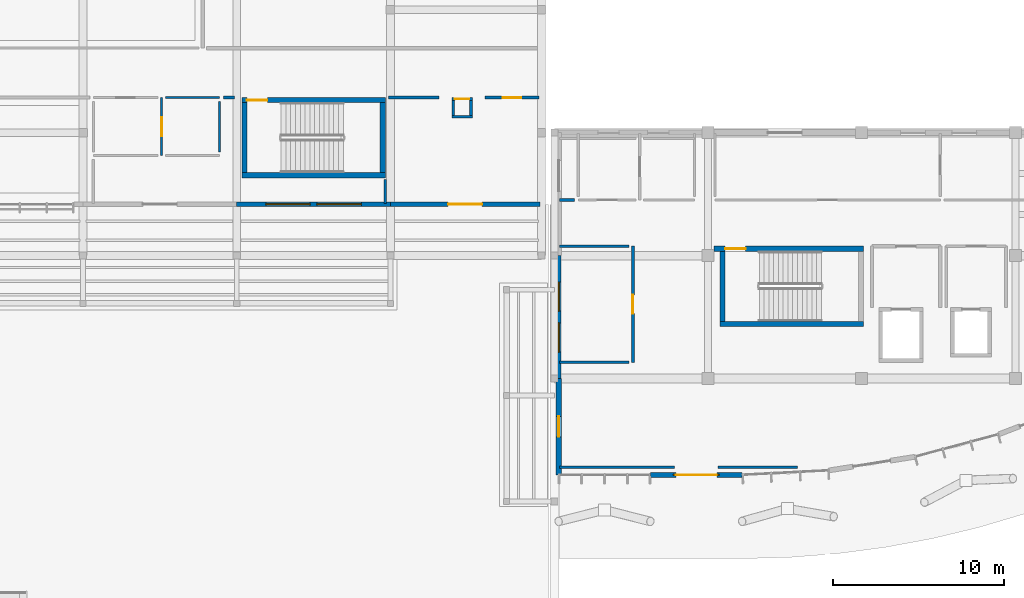
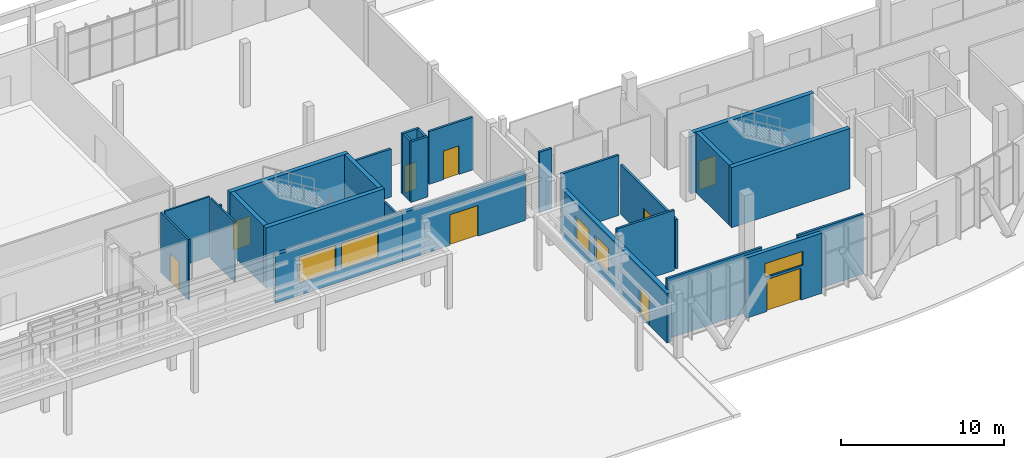
# One storey, part 119 of 151: 29 walls, 9 doors, 5 windows, 14 openings.
"""IFC4 building model written with IfcOpenShell, lengths in metres."""

import ifcopenshell
import ifcopenshell.guid

model = None  # the IFC model being written
_history = None  # IfcOwnerHistory: only IFC2X3 demands one
_inside = {}  # id of a spatial element -> (the spatial element, [elements in it])
_under = {}  # id of a project, library or spatial element -> (it, [spatial elements below it])
_declared = {}  # id of a project -> (the project, [libraries it declares])
_typed = {}  # id of a type object -> (the type object, [elements of that type])
_made_of = {}  # id of a material, layer set ... -> (it, [elements and type objects made of it])


def new_model(schema):
    """Start an empty IFC model of exactly this schema.

    Asked for "IFC4X3", IfcOpenShell would pick the latest addendum, in which some entities
    have other attributes; the version numbers below select the first issue.
    IFC2X3 requires an IfcOwnerHistory on every rooted entity: one is made here for all.
    """
    global model, _history
    if schema == "IFC4X3":
        model = ifcopenshell.file(schema_version=(4, 3, 0, 0))
    else:
        model = ifcopenshell.file(schema=schema)
    _inside.clear()
    _under.clear()
    _declared.clear()
    _typed.clear()
    _made_of.clear()
    _history = None
    if model.schema == "IFC2X3":
        org = make("IfcOrganization", Name="unknown")
        user = make(
            "IfcPersonAndOrganization",
            ThePerson=make("IfcPerson", FamilyName="unknown"),
            TheOrganization=org,
        )
        app = make(
            "IfcApplication",
            ApplicationDeveloper=org,
            Version="unknown",
            ApplicationFullName="unknown",
            ApplicationIdentifier="unknown",
        )
        _history = make(
            "IfcOwnerHistory",
            OwningUser=user,
            OwningApplication=app,
            ChangeAction="ADDED",
            CreationDate=0,
        )
    return model


def make(cls, **values):
    """One entity of the class cls with the attributes given. An attribute that is None is left unset."""
    return model.create_entity(
        cls, **{name: value for name, value in values.items() if value is not None}
    )


def rooted(cls, **values):
    """An entity with a GlobalId (a new one), such as an element, a storey or a relation."""
    return make(cls, GlobalId=ifcopenshell.guid.new(), OwnerHistory=_history, **values)


def si_unit(unit_type, name, prefix=None):
    """IfcSIUnit, for example si_unit("LENGTHUNIT", "METRE", prefix="MILLI")."""
    return make("IfcSIUnit", UnitType=unit_type, Prefix=prefix, Name=name)


def assignment(units):
    """IfcUnitAssignment: the units of a project."""
    return None if units is None else make("IfcUnitAssignment", Units=units)


def point(xyz):
    """IfcCartesianPoint."""
    return None if xyz is None else make("IfcCartesianPoint", Coordinates=xyz)


def direction(xyz):
    """IfcDirection."""
    return None if xyz is None else make("IfcDirection", DirectionRatios=xyz)


def frame(location, z_axis=None, x_axis=None):
    """IfcAxis2Placement3D, a coordinate frame: its origin and axes. An axis left out is left unset."""
    return make(
        "IfcAxis2Placement3D",
        Location=point(location),
        Axis=direction(z_axis),
        RefDirection=direction(x_axis),
    )


def frame_2d(location, x_axis=None):
    """IfcAxis2Placement2D, a coordinate frame in the plane: its origin and x axis."""
    return make(
        "IfcAxis2Placement2D", Location=point(location), RefDirection=direction(x_axis)
    )


def origin():
    """The frame at (0, 0, 0) with its axes left unset."""
    return frame((0.0, 0.0, 0.0))


def place(relative_to, where):
    """IfcLocalPlacement: puts the frame where relative to a parent placement (None: the world)."""
    return make(
        "IfcLocalPlacement", PlacementRelTo=relative_to, RelativePlacement=where
    )


def context(
    kind, dimensions, precision=None, world=None, true_north=None, identifier=None
):
    """IfcGeometricRepresentationContext, for example the 3D "Model" context."""
    return make(
        "IfcGeometricRepresentationContext",
        ContextIdentifier=identifier,
        ContextType=kind,
        CoordinateSpaceDimension=dimensions,
        Precision=precision,
        WorldCoordinateSystem=world,
        TrueNorth=true_north,
    )


def subcontext(parent, identifier, kind, view, scale=None):
    """IfcGeometricRepresentationSubContext, for example "Body" below "Model"."""
    return make(
        "IfcGeometricRepresentationSubContext",
        ContextIdentifier=identifier,
        ContextType=kind,
        ParentContext=parent,
        TargetScale=scale,
        TargetView=view,
    )


def project(units=None, contexts=None):
    """IfcProject with its units and contexts."""
    return rooted(
        "IfcProject",
        Name="project",
        RepresentationContexts=contexts,
        UnitsInContext=assignment(units),
    )


def spatial(cls, under=None, at=None, **own):
    """A site, building, storey or space (cls), placed at a placement, below another one or the project."""
    s = rooted(cls, ObjectPlacement=at, **own)
    if under is not None:
        _under.setdefault(under.id(), (under, []))[1].append(s)
    return s


def profile(cls, at=None, kind="AREA", **sizes):
    """A parametric profile (cls). Its sizes go by their IFC names, for example OverallWidth=200.0."""
    return make(cls, ProfileType=kind, Position=at, **sizes)


def rectangle(**sizes):
    """IfcRectangleProfileDef."""
    return profile("IfcRectangleProfileDef", **sizes)


def extrude(swept, where, along, depth):
    """IfcExtrudedAreaSolid: the profile swept, set in the frame where, extruded along a direction by depth."""
    return make(
        "IfcExtrudedAreaSolid",
        SweptArea=swept,
        Position=where,
        ExtrudedDirection=direction(along),
        Depth=depth,
    )


def shape(context_of_items, identifier, shape_type, items):
    """IfcShapeRepresentation: the items that make up one representation, for example the "Body"."""
    return make(
        "IfcShapeRepresentation",
        ContextOfItems=context_of_items,
        RepresentationIdentifier=identifier,
        RepresentationType=shape_type,
        Items=items,
    )


def material(Name=None, Category=None):
    """IfcMaterial."""
    return make("IfcMaterial", Name=Name, Category=Category)


def layer(
    of_material, thickness, ventilated=None, Name=None, Category=None, Priority=None
):
    """IfcMaterialLayer: one layer of a wall or slab, of a material (None: an air gap)."""
    return make(
        "IfcMaterialLayer",
        Material=of_material,
        LayerThickness=thickness,
        IsVentilated=ventilated,
        Name=Name,
        Category=Category,
        Priority=Priority,
    )


def layer_set(layers, Name=None):
    """IfcMaterialLayerSet."""
    return make("IfcMaterialLayerSet", MaterialLayers=layers, LayerSetName=Name)


def made_of(thing, what):
    """Note that an element or type object is made of a material, layer set ...; save() writes the relation."""
    if what is not None:
        _made_of.setdefault(what.id(), (what, []))[1].append(thing)
    return thing


def type_object(cls, material=None, **own):
    """A type object (cls), such as IfcWallType, which elements share."""
    return made_of(rooted(cls, **own), material)


def element(
    cls,
    number,
    at=None,
    inside=None,
    cuts=None,
    type_object=None,
    material=None,
    context=None,
    identifier="Body",
    shape_type=None,
    held_by="IfcProductDefinitionShape",
    body=None,
    shapes=None,
    **own,
):
    """One element of the class cls, such as IfcWall. Its Tag is "e" and its number.

    at: its placement. inside: the storey or other place that contains it. cuts: it is an
    opening in that element (IfcRelVoidsElement). A single representation is given by context,
    identifier, shape_type and body (its items); several are given by shapes. held_by: the class
    of the entity that holds the representations. save() writes the other relations.
    """
    e = rooted(cls, Tag="e%d" % number, ObjectPlacement=at, **own)
    if body is not None:
        shapes = [shape(context, identifier, shape_type, body)]
    if shapes is not None:
        e.Representation = make(held_by, Representations=shapes)
    if inside is not None:
        _inside.setdefault(inside.id(), (inside, []))[1].append(e)
    if cuts is not None:
        rooted(
            "IfcRelVoidsElement", RelatingBuildingElement=cuts, RelatedOpeningElement=e
        )
    if type_object is not None:
        _typed.setdefault(type_object.id(), (type_object, []))[1].append(e)
    return made_of(e, material)


def fill(opening, filler):
    """IfcRelFillsElement: the door or window that sits in an opening."""
    return rooted(
        "IfcRelFillsElement",
        RelatingOpeningElement=opening,
        RelatedBuildingElement=filler,
    )


def aggregate(whole, parts):
    """IfcRelAggregates: a whole, such as a stair, and the parts it consists of."""
    return rooted("IfcRelAggregates", RelatingObject=whole, RelatedObjects=parts)


def save(model, path):
    """Write the relations noted so far, then the file.

    IfcRelAggregates (storeys below a building ...), IfcRelContainedInSpatialStructure (elements
    in a storey), IfcRelDefinesByType, IfcRelAssociatesMaterial and IfcRelDeclares: one each for
    every whole, place, type object, material and project.
    """
    for whole, parts in _under.values():
        aggregate(whole, parts)
    for where, things in _inside.values():
        rooted(
            "IfcRelContainedInSpatialStructure",
            RelatedElements=things,
            RelatingStructure=where,
        )
    for kind, things in _typed.values():
        rooted("IfcRelDefinesByType", RelatedObjects=things, RelatingType=kind)
    for what, things in _made_of.values():
        rooted("IfcRelAssociatesMaterial", RelatedObjects=things, RelatingMaterial=what)
    for by, libraries in _declared.values():
        rooted("IfcRelDeclares", RelatingContext=by, RelatedDefinitions=libraries)
    model.write(path)


model = new_model("IFC4")

# Units and contexts
model_context = context("Model", 3, precision=1e-05, world=origin(), true_north=direction((0.0, 1.0)))
body_context = subcontext(model_context, "Body", "Model", "MODEL_VIEW")
ifc_project = project(units=[si_unit("LENGTHUNIT", "METRE"), si_unit("AREAUNIT", "SQUARE_METRE"), si_unit("VOLUMEUNIT", "CUBIC_METRE"), si_unit("PLANEANGLEUNIT", "RADIAN"), si_unit("MASSUNIT", "GRAM", prefix="KILO")], contexts=[model_context])

# Site, building, storey
site_placement = place(None, origin())
site = spatial("IfcSite", under=ifc_project, at=site_placement, CompositionType="ELEMENT")
building_placement = place(site_placement, origin())
building = spatial("IfcBuilding", under=site, at=building_placement, Name="Chiffa Square Polytechnic", CompositionType="ELEMENT")
storey_placement = place(building_placement, origin())
storey = spatial("IfcBuildingStorey", under=building, at=storey_placement, Name="L00", CompositionType="ELEMENT", Elevation=0.0)

# Wall
ifc_material_1 = material(Name="Concrete C40/50", Category="concrete")
ifc_layer_1 = layer(ifc_material_1, 0.300048828125, Name="Concrete C40/50")
ifc_layer_set_1 = layer_set([ifc_layer_1], Name="Concrete C40/50")
wall_type_1 = type_object("IfcWallType", Name="WL-CORE-300", PredefinedType="SHEAR", material=ifc_layer_set_1)
wall_1_placement = place(storey_placement, frame((121.89990234375, 17.60009765625, 0.0), z_axis=(0.0, 0.0, 1.0), x_axis=(1.0, 0.0, 0.0)))
element("IfcWall", 1, at=wall_1_placement, inside=storey, type_object=wall_type_1, Name="Core or enclosure wall WC-CORE-V1A-L00-SOUTH", PredefinedType="SHEAR", context=body_context, shape_type="SweptSolid", body=[
    extrude(rectangle(XDim=8.400146484375, YDim=0.300048828125, at=frame_2d((4.2001953125, 0.0))), origin(), (0.0, 0.0, 1.0), 4.52001953125),
])

# Wall, opening, door
wall_2_placement = place(storey_placement, frame((121.550048828125, 22.0, 0.0), z_axis=(0.0, 0.0, 1.0), x_axis=(1.0, 0.0, 0.0)))
wall_2 = element("IfcWall", 2, at=wall_2_placement, inside=storey, type_object=wall_type_1, Name="Core or enclosure wall WC-CORE-V1A-L00-NORTH", PredefinedType="SHEAR", context=body_context, shape_type="SweptSolid", body=[
    extrude(rectangle(XDim=8.75, YDim=0.300048828125, at=frame_2d((4.375, 0.0))), origin(), (0.0, 0.0, 1.0), 4.52001953125),
])
opening_1_placement = place(wall_2_placement, frame((0.64990234375, 0.0, 0.0)))
opening_1 = element("IfcOpeningElement", 3, at=opening_1_placement, cuts=wall_2, Name="Opening DS-L00-002", PredefinedType="OPENING", context=body_context, shape_type="SweptSolid", body=[
    extrude(rectangle(XDim=1.199951171875, YDim=2.14990234375, at=frame_2d((0.60009765625, 1.074951171875))), frame((0.0, 0.16015625, 0.0), z_axis=(0.0, -1.0, 0.0), x_axis=(1.0, 0.0, 0.0)), (0.0, 0.0, 1.0), 0.320068359375),
])
ifc_material_2 = material(Name="Fire-rated painted steel leaf", Category="steel")
door_type_1 = type_object("IfcDoorType", Name="DR-STAIR-1200", OperationType="NOTDEFINED", PredefinedType="DOOR", material=ifc_material_2)
door_1_placement = place(opening_1_placement, origin())
door_1 = element("IfcDoor", 4, at=door_1_placement, inside=storey, type_object=door_type_1, Name="Enclosure door DS-L00-002", OperationType="SINGLE_SWING_RIGHT", OverallHeight=2.14990234375, OverallWidth=1.199951171875, PredefinedType="DOOR", context=body_context, shape_type="SweptSolid", body=[
    extrude(rectangle(XDim=1.199951171875, YDim=2.14990234375, at=frame_2d((0.60009765625, 1.074951171875))), frame((0.0, 0.02490234375, 0.0), z_axis=(0.0, -1.0, 0.0), x_axis=(1.0, 0.0, 0.0)), (0.0, 0.0, 1.0), 0.050048828125),
])
fill(opening_1, door_1)

# Walls
wall_3_placement = place(storey_placement, frame((122.050048828125, 17.75, 0.0), z_axis=(0.0, 0.0, 1.0), x_axis=(0.0, 1.0, 0.0)))
element("IfcWall", 5, at=wall_3_placement, inside=storey, type_object=wall_type_1, Name="Core or enclosure wall WC-CORE-V1A-L00-WEST", PredefinedType="SHEAR", context=body_context, shape_type="SweptSolid", body=[
    extrude(rectangle(XDim=4.10009765625, YDim=0.300048828125, at=frame_2d((2.050048828125, 0.0))), origin(), (0.0, 0.0, 1.0), 4.52001953125),
])
wall_4_placement = place(storey_placement, frame((93.89990234375, 26.300048828125, 0.0), z_axis=(0.0, 0.0, 1.0), x_axis=(1.0, 0.0, 0.0)))
element("IfcWall", 6, at=wall_4_placement, inside=storey, type_object=wall_type_1, Name="Core or enclosure wall WC-CORE-V4B-L00-SOUTH", PredefinedType="SHEAR", context=body_context, shape_type="SweptSolid", body=[
    extrude(rectangle(XDim=8.400146484375, YDim=0.300048828125, at=frame_2d((4.2001953125, 0.0))), origin(), (0.0, 0.0, 1.0), 4.52001953125),
])

# Wall, opening, door
wall_5_placement = place(storey_placement, frame((93.89990234375, 30.699951171875, 0.0), z_axis=(0.0, 0.0, 1.0), x_axis=(1.0, 0.0, 0.0)))
wall_5 = element("IfcWall", 7, at=wall_5_placement, inside=storey, type_object=wall_type_1, Name="Core or enclosure wall WC-CORE-V4B-L00-NORTH", PredefinedType="SHEAR", context=body_context, shape_type="SweptSolid", body=[
    extrude(rectangle(XDim=8.400146484375, YDim=0.300048828125, at=frame_2d((4.2001953125, 0.0))), origin(), (0.0, 0.0, 1.0), 4.52001953125),
])
opening_2_placement = place(wall_5_placement, frame((0.300048828125, 0.0, 0.0)))
opening_2 = element("IfcOpeningElement", 8, at=opening_2_placement, cuts=wall_5, Name="Opening DS-L00-029", PredefinedType="OPENING", context=body_context, shape_type="SweptSolid", body=[
    extrude(rectangle(XDim=1.199951171875, YDim=2.14990234375, at=frame_2d((0.60009765625, 1.074951171875))), frame((0.0, 0.16015625, 0.0), z_axis=(0.0, -1.0, 0.0), x_axis=(1.0, 0.0, 0.0)), (0.0, 0.0, 1.0), 0.320068359375),
])
door_2_placement = place(opening_2_placement, origin())
door_2 = element("IfcDoor", 9, at=door_2_placement, inside=storey, type_object=door_type_1, Name="Enclosure door DS-L00-029", OperationType="SINGLE_SWING_LEFT", OverallHeight=2.14990234375, OverallWidth=1.199951171875, PredefinedType="DOOR", context=body_context, shape_type="SweptSolid", body=[
    extrude(rectangle(XDim=1.199951171875, YDim=2.14990234375, at=frame_2d((0.60009765625, 1.074951171875))), frame((0.0, 0.02490234375, 0.0), z_axis=(0.0, -1.0, 0.0), x_axis=(1.0, 0.0, 0.0)), (0.0, 0.0, 1.0), 0.050048828125),
])
fill(opening_2, door_2)

# Walls
for number, where, z_axis, x_axis, name in (
    (10, (94.050048828125, 26.449951171875, 0.0), (0.0, 0.0, 1.0), (0.0, 1.0, 0.0), "Core or enclosure wall WC-CORE-V4B-L00-WEST"),
    (11, (102.14990234375, 26.449951171875, 0.0), (0.0, 0.0, 1.0), (0.0, 1.0, 0.0), "Core or enclosure wall WC-CORE-V4B-L00-EAST"),
):
    element("IfcWall", number, at=place(storey_placement, frame(where, z_axis=z_axis, x_axis=x_axis)), inside=storey, type_object=wall_type_1, Name=name, PredefinedType="SHEAR", context=body_context, shape_type="SweptSolid", body=[
        extrude(rectangle(XDim=4.10009765625, YDim=0.300048828125, at=frame_2d((2.050048828125, 0.0))), origin(), (0.0, 0.0, 1.0), 4.52001953125),
    ])

# Wall, openings, windows
ifc_material_3 = material(Name="Precast concrete C40/50", Category="concrete")
ifc_layer_2 = layer(ifc_material_3, 0.260009765625, Name="Precast concrete C40/50")
ifc_layer_set_2 = layer_set([ifc_layer_2], Name="Precast concrete C40/50")
wall_type_2 = type_object("IfcWallType", Name="WL-EXT-PC260", PredefinedType="SOLIDWALL", material=ifc_layer_set_2)
wall_6_placement = place(storey_placement, frame((93.60009765625, 24.60009765625, 0.0), z_axis=(0.0, 0.0, 1.0), x_axis=(1.0, 0.0, 0.0)))
wall_6 = element("IfcWall", 12, at=wall_6_placement, inside=storey, type_object=wall_type_2, Name="Exterior wall WE-V4-L00-0190", PredefinedType="SOLIDWALL", context=body_context, shape_type="SweptSolid", body=[
    extrude(rectangle(XDim=9.0, YDim=0.260009765625, at=frame_2d((4.5, 0.0))), origin(), (0.0, 0.0, 1.0), 3.60498046875),
])
opening_3_placement = place(wall_6_placement, frame((1.699951171875, 0.0, 0.89990234375)))
opening_3 = element("IfcOpeningElement", 13, at=opening_3_placement, cuts=wall_6, Name="Opening W-26", PredefinedType="OPENING", context=body_context, shape_type="SweptSolid", body=[
    extrude(rectangle(XDim=2.60009765625, YDim=1.949951171875, at=frame_2d((1.300048828125, 0.97509765625))), frame((0.0, 0.14013671875, 0.0), z_axis=(0.0, -1.0, 0.0), x_axis=(1.0, 0.0, 0.0)), (0.0, 0.0, 1.0), 0.280029296875),
])
opening_4_placement = place(wall_6_placement, frame((4.699951171875, 0.0, 0.89990234375)))
opening_4 = element("IfcOpeningElement", 14, at=opening_4_placement, cuts=wall_6, Name="Opening W-26", PredefinedType="OPENING", context=body_context, shape_type="SweptSolid", body=[
    extrude(rectangle(XDim=2.60009765625, YDim=1.949951171875, at=frame_2d((1.300048828125, 0.97509765625))), frame((0.0, 0.14013671875, 0.0), z_axis=(0.0, -1.0, 0.0), x_axis=(1.0, 0.0, 0.0)), (0.0, 0.0, 1.0), 0.280029296875),
])
ifc_material_4 = material(Name="Double glazing in thermally broken aluminium frame", Category="aluminium")
window_type_1 = type_object("IfcWindowType", Name="WIN-REF-2600X1950", PartitioningType="DOUBLE_PANEL_VERTICAL", PredefinedType="WINDOW", material=ifc_material_4)
window_1_placement = place(opening_3_placement, origin())
window_1 = element("IfcWindow", 15, at=window_1_placement, inside=storey, type_object=window_type_1, Name="Facade window WN-L00-0138", OverallHeight=1.949951171875, OverallWidth=2.60009765625, PartitioningType="DOUBLE_PANEL_VERTICAL", PredefinedType="WINDOW", context=body_context, shape_type="SweptSolid", body=[
    extrude(rectangle(XDim=2.60009765625, YDim=1.949951171875, at=frame_2d((1.300048828125, 0.97509765625))), frame((0.0, 0.030029296875, 0.0), z_axis=(0.0, -1.0, 0.0), x_axis=(1.0, 0.0, 0.0)), (0.0, 0.0, 1.0), 0.06005859375),
])
fill(opening_3, window_1)
window_2_placement = place(opening_4_placement, origin())
window_2 = element("IfcWindow", 16, at=window_2_placement, inside=storey, type_object=window_type_1, Name="Facade window WN-L00-0139", OverallHeight=1.949951171875, OverallWidth=2.60009765625, PartitioningType="DOUBLE_PANEL_VERTICAL", PredefinedType="WINDOW", context=body_context, shape_type="SweptSolid", body=[
    extrude(rectangle(XDim=2.60009765625, YDim=1.949951171875, at=frame_2d((1.300048828125, 0.97509765625))), frame((0.0, 0.030029296875, 0.0), z_axis=(0.0, -1.0, 0.0), x_axis=(1.0, 0.0, 0.0)), (0.0, 0.0, 1.0), 0.06005859375),
])
fill(opening_4, window_2)

# Wall, opening, door
wall_7_placement = place(storey_placement, frame((102.60009765625, 24.60009765625, 0.0), z_axis=(0.0, 0.0, 1.0), x_axis=(1.0, 0.0, 0.0)))
wall_7 = element("IfcWall", 17, at=wall_7_placement, inside=storey, type_object=wall_type_2, Name="Exterior wall WE-V4-L00-0191", PredefinedType="SOLIDWALL", context=body_context, shape_type="SweptSolid", body=[
    extrude(rectangle(XDim=8.75, YDim=0.260009765625, at=frame_2d((4.375, 0.0))), origin(), (0.0, 0.0, 1.0), 3.60498046875),
])
opening_5_placement = place(wall_7_placement, frame((3.375, 0.0, 0.0)))
opening_5 = element("IfcOpeningElement", 18, at=opening_5_placement, cuts=wall_7, Name="Opening DE-L00-032", PredefinedType="OPENING", context=body_context, shape_type="SweptSolid", body=[
    extrude(rectangle(XDim=2.0, YDim=2.300048828125, at=frame_2d((1.0, 1.14990234375))), frame((0.0, 0.14013671875, 0.0), z_axis=(0.0, -1.0, 0.0), x_axis=(1.0, 0.0, 0.0)), (0.0, 0.0, 1.0), 0.280029296875),
])
ifc_material_5 = material(Name="Aluminium and laminated safety glass", Category="aluminium")
door_type_2 = type_object("IfcDoorType", Name="DR-EXIT-DBL-2000", OperationType="DOUBLE_DOOR_SINGLE_SWING", PredefinedType="DOOR", material=ifc_material_5)
door_3_placement = place(opening_5_placement, origin())
door_3 = element("IfcDoor", 19, at=door_3_placement, inside=storey, type_object=door_type_2, Name="Exterior door DE-L00-032", OperationType="DOUBLE_DOOR_SINGLE_SWING", OverallHeight=2.300048828125, OverallWidth=2.0, PredefinedType="DOOR", context=body_context, shape_type="SweptSolid", body=[
    extrude(rectangle(XDim=2.0, YDim=2.300048828125, at=frame_2d((1.0, 1.14990234375))), frame((0.0, 0.02490234375, 0.0), z_axis=(0.0, -1.0, 0.0), x_axis=(1.0, 0.0, 0.0)), (0.0, 0.0, 1.0), 0.050048828125),
])
fill(opening_5, door_3)

# Wall, openings, door, window
ifc_layer_3 = layer(ifc_material_3, 0.280029296875, Name="Precast concrete C40/50")
ifc_layer_set_3 = layer_set([ifc_layer_3], Name="Precast concrete C40/50")
wall_type_3 = type_object("IfcWallType", Name="WL-EXT-PC280", PredefinedType="SOLIDWALL", material=ifc_layer_set_3)
wall_8_placement = place(storey_placement, frame((117.824951171875, 8.75, 0.0), z_axis=(0.0, 0.0, 1.0), x_axis=(1.0, 0.0, 0.0)))
wall_8 = element("IfcWall", 20, at=wall_8_placement, inside=storey, type_object=wall_type_3, Name="Chiffa Square portico entrance wall WE-V1-L00-PORTAL-01", PredefinedType="SOLIDWALL", context=body_context, shape_type="SweptSolid", body=[
    extrude(rectangle(XDim=5.375, YDim=0.280029296875, at=frame_2d((2.6875, 0.0))), origin(), (0.0, 0.0, 1.0), 4.52001953125),
])
opening_6_placement = place(wall_8_placement, frame((1.488037109375, 0.0, 0.0)))
opening_6 = element("IfcOpeningElement", 21, at=opening_6_placement, cuts=wall_8, Name="Opening DE-L00-001", PredefinedType="OPENING", context=body_context, shape_type="SweptSolid", body=[
    extrude(rectangle(XDim=2.39990234375, YDim=2.39990234375, at=frame_2d((1.199951171875, 1.199951171875))), frame((0.0, 0.14990234375, 0.0), z_axis=(0.0, -1.0, 0.0), x_axis=(1.0, 0.0, 0.0)), (0.0, 0.0, 1.0), 0.300048828125),
])
opening_7_placement = place(wall_8_placement, frame((1.3369140625, 0.0, 2.580078125)))
opening_7 = element("IfcOpeningElement", 22, at=opening_7_placement, cuts=wall_8, Name="Opening WCL-02", PredefinedType="OPENING", context=body_context, shape_type="SweptSolid", body=[
    extrude(rectangle(XDim=2.699951171875, YDim=1.050048828125, at=frame_2d((1.35009765625, 0.52490234375))), frame((0.0, 0.14990234375, 0.0), z_axis=(0.0, -1.0, 0.0), x_axis=(1.0, 0.0, 0.0)), (0.0, 0.0, 1.0), 0.300048828125),
])
door_type_3 = type_object("IfcDoorType", Name="DR-EXIT-DBL-2400", OperationType="DOUBLE_DOOR_SINGLE_SWING", PredefinedType="DOOR", material=ifc_material_5)
door_4_placement = place(opening_6_placement, origin())
door_4 = element("IfcDoor", 23, at=door_4_placement, inside=storey, type_object=door_type_3, Name="Faculty prow portico entrance door DE-L00-001", OperationType="DOUBLE_DOOR_SINGLE_SWING", OverallHeight=2.39990234375, OverallWidth=2.39990234375, PredefinedType="DOOR", context=body_context, shape_type="SweptSolid", body=[
    extrude(rectangle(XDim=2.39990234375, YDim=2.39990234375, at=frame_2d((1.199951171875, 1.199951171875))), frame((0.0, 0.02490234375, 0.0), z_axis=(0.0, -1.0, 0.0), x_axis=(1.0, 0.0, 0.0)), (0.0, 0.0, 1.0), 0.050048828125),
])
fill(opening_6, door_4)
window_type_2 = type_object("IfcWindowType", Name="WIN-CLR-2700X1050", PartitioningType="DOUBLE_PANEL_VERTICAL", PredefinedType="WINDOW", material=ifc_material_4)
window_3_placement = place(opening_7_placement, origin())
window_3 = element("IfcWindow", 24, at=window_3_placement, inside=storey, type_object=window_type_2, Name="Entrance transom clerestory WN-L00-0001", OverallHeight=1.050048828125, OverallWidth=2.699951171875, PartitioningType="DOUBLE_PANEL_VERTICAL", PredefinedType="WINDOW", context=body_context, shape_type="SweptSolid", body=[
    extrude(rectangle(XDim=2.699951171875, YDim=1.050048828125, at=frame_2d((1.35009765625, 0.52490234375))), frame((0.0, 0.030029296875, 0.0), z_axis=(0.0, -1.0, 0.0), x_axis=(1.0, 0.0, 0.0)), (0.0, 0.0, 1.0), 0.06005859375),
])
fill(opening_7, window_3)

# Wall, openings, windows
ifc_layer_4 = layer(ifc_material_3, 0.300048828125, Name="Precast concrete C40/50")
ifc_layer_set_4 = layer_set([ifc_layer_4], Name="Precast concrete C40/50")
wall_type_4 = type_object("IfcWallType", Name="WL-EXT-PC300", PredefinedType="SOLIDWALL", material=ifc_layer_set_4)
wall_9_placement = place(storey_placement, frame((112.449951171875, 21.60009765625, 0.0), z_axis=(0.0, 0.0, 1.0), x_axis=(0.0, -1.0, 0.0)))
wall_9 = element("IfcWall", 25, at=wall_9_placement, inside=storey, type_object=wall_type_4, Name="Exterior wall WE-V1-L00-0019", PredefinedType="SOLIDWALL", context=body_context, shape_type="SweptSolid", body=[
    extrude(rectangle(XDim=7.2001953125, YDim=0.300048828125, at=frame_2d((3.60009765625, 0.0))), origin(), (0.0, 0.0, 1.0), 3.705078125),
])
opening_8_placement = place(wall_9_placement, frame((1.550048828125, 0.0, 0.85009765625)))
opening_8 = element("IfcOpeningElement", 26, at=opening_8_placement, cuts=wall_9, Name="Opening W-14", PredefinedType="OPENING", context=body_context, shape_type="SweptSolid", body=[
    extrude(rectangle(XDim=1.699951171875, YDim=1.85009765625, at=frame_2d((0.85009765625, 0.925048828125))), frame((0.0, 0.16015625, 0.0), z_axis=(0.0, -1.0, 0.0), x_axis=(1.0, 0.0, 0.0)), (0.0, 0.0, 1.0), 0.320068359375),
])
opening_9_placement = place(wall_9_placement, frame((3.949951171875, 0.0, 0.85009765625)))
opening_9 = element("IfcOpeningElement", 27, at=opening_9_placement, cuts=wall_9, Name="Opening W-14", PredefinedType="OPENING", context=body_context, shape_type="SweptSolid", body=[
    extrude(rectangle(XDim=1.699951171875, YDim=1.85009765625, at=frame_2d((0.85009765625, 0.925048828125))), frame((0.0, 0.16015625, 0.0), z_axis=(0.0, -1.0, 0.0), x_axis=(1.0, 0.0, 0.0)), (0.0, 0.0, 1.0), 0.320068359375),
])
window_type_3 = type_object("IfcWindowType", Name="WIN-STD-1700X1850", PartitioningType="DOUBLE_PANEL_VERTICAL", PredefinedType="WINDOW", material=ifc_material_4)
window_4_placement = place(opening_8_placement, origin())
window_4 = element("IfcWindow", 28, at=window_4_placement, inside=storey, type_object=window_type_3, Name="Facade window WN-L00-0013", OverallHeight=1.85009765625, OverallWidth=1.699951171875, PartitioningType="DOUBLE_PANEL_VERTICAL", PredefinedType="WINDOW", context=body_context, shape_type="SweptSolid", body=[
    extrude(rectangle(XDim=1.699951171875, YDim=1.85009765625, at=frame_2d((0.85009765625, 0.925048828125))), frame((0.0, 0.030029296875, 0.0), z_axis=(0.0, -1.0, 0.0), x_axis=(1.0, 0.0, 0.0)), (0.0, 0.0, 1.0), 0.06005859375),
])
fill(opening_8, window_4)
window_5_placement = place(opening_9_placement, origin())
window_5 = element("IfcWindow", 29, at=window_5_placement, inside=storey, type_object=window_type_3, Name="Facade window WN-L00-0014", OverallHeight=1.85009765625, OverallWidth=1.699951171875, PartitioningType="DOUBLE_PANEL_VERTICAL", PredefinedType="WINDOW", context=body_context, shape_type="SweptSolid", body=[
    extrude(rectangle(XDim=1.699951171875, YDim=1.85009765625, at=frame_2d((0.85009765625, 0.925048828125))), frame((0.0, 0.030029296875, 0.0), z_axis=(0.0, -1.0, 0.0), x_axis=(1.0, 0.0, 0.0)), (0.0, 0.0, 1.0), 0.06005859375),
])
fill(opening_9, window_5)

# Wall, opening, door
ifc_layer_5 = layer(ifc_material_3, 0.320068359375, Name="Precast concrete C40/50")
ifc_layer_set_5 = layer_set([ifc_layer_5], Name="Precast concrete C40/50")
wall_type_5 = type_object("IfcWallType", Name="WL-EXT-PC320", PredefinedType="SOLIDWALL", material=ifc_layer_set_5)
wall_10_placement = place(storey_placement, frame((112.449951171875, 14.39990234375, 0.0), z_axis=(0.0, 0.0, 1.0), x_axis=(0.0, -1.0, 0.0)))
wall_10 = element("IfcWall", 30, at=wall_10_placement, inside=storey, type_object=wall_type_5, Name="Exterior wall WE-V1-L00-0020", PredefinedType="SOLIDWALL", context=body_context, shape_type="SweptSolid", body=[
    extrude(rectangle(XDim=5.64990234375, YDim=0.320068359375, at=frame_2d((2.824951171875, 0.0))), origin(), (0.0, 0.0, 1.0), 3.705078125),
])
opening_10_placement = place(wall_10_placement, frame((2.22509765625, 0.0, 0.0)))
opening_10 = element("IfcOpeningElement", 31, at=opening_10_placement, cuts=wall_10, Name="Opening DE-L00-014", PredefinedType="OPENING", context=body_context, shape_type="SweptSolid", body=[
    extrude(rectangle(XDim=1.199951171875, YDim=2.199951171875, at=frame_2d((0.60009765625, 1.10009765625))), frame((0.0, 0.169921875, 0.0), z_axis=(0.0, -1.0, 0.0), x_axis=(1.0, 0.0, 0.0)), (0.0, 0.0, 1.0), 0.340087890625),
])
ifc_material_6 = material(Name="Painted galvanized steel", Category="steel")
door_type_4 = type_object("IfcDoorType", Name="DR-EXT-SVC-1200", OperationType="NOTDEFINED", PredefinedType="DOOR", material=ifc_material_6)
door_5_placement = place(opening_10_placement, origin())
door_5 = element("IfcDoor", 32, at=door_5_placement, inside=storey, type_object=door_type_4, Name="Exterior door DE-L00-014", OperationType="SINGLE_SWING_RIGHT", OverallHeight=2.199951171875, OverallWidth=1.199951171875, PredefinedType="DOOR", context=body_context, shape_type="SweptSolid", body=[
    extrude(rectangle(XDim=1.199951171875, YDim=2.199951171875, at=frame_2d((0.60009765625, 1.10009765625))), frame((0.0, 0.02490234375, 0.0), z_axis=(0.0, -1.0, 0.0), x_axis=(1.0, 0.0, 0.0)), (0.0, 0.0, 1.0), 0.050048828125),
])
fill(opening_10, door_5)

# Walls
ifc_material_7 = material(Name="Gypsum board on steel stud", Category="steel")
ifc_layer_6 = layer(ifc_material_7, 0.125, Name="Gypsum board on steel stud")
ifc_layer_set_6 = layer_set([ifc_layer_6], Name="Gypsum board on steel stud")
wall_type_6 = type_object("IfcWallType", Name="WL-PART-125", PredefinedType="PARTITIONING", material=ifc_layer_set_6)
wall_11_placement = place(storey_placement, frame((102.300048828125, 24.655029296875, 0.0), z_axis=(0.0, 0.0, 1.0), x_axis=(0.0, 1.0, 0.0)))
element("IfcWall", 33, at=wall_11_placement, inside=storey, type_object=wall_type_6, Name="Interior partition WP-V4-L00-0125", PredefinedType="PARTITIONING", context=body_context, shape_type="SweptSolid", body=[
    extrude(rectangle(XDim=1.405029296875, YDim=0.125, at=frame_2d((0.70263671875, 0.0))), origin(), (0.0, 0.0, 1.0), 3.60498046875),
])
ifc_material_8 = material(Name="Gypsum board on acoustic steel stud", Category="steel")
ifc_layer_7 = layer(ifc_material_8, 0.159912109375, Name="Gypsum board on acoustic steel stud")
ifc_layer_set_7 = layer_set([ifc_layer_7], Name="Gypsum board on acoustic steel stud")
wall_type_7 = type_object("IfcWallType", Name="WL-PART-EI60-160", PredefinedType="PARTITIONING", material=ifc_layer_set_7)
wall_12_placement = place(storey_placement, frame((106.199951171875, 29.72998046875, 0.0), z_axis=(0.0, 0.0, 1.0), x_axis=(1.0, 0.0, 0.0)))
element("IfcWall", 34, at=wall_12_placement, inside=storey, type_object=wall_type_7, Name="Core or enclosure wall WP-RSR-V4-E-L00-SOUTH", PredefinedType="PARTITIONING", context=body_context, shape_type="SweptSolid", body=[
    extrude(rectangle(XDim=1.199951171875, YDim=0.159912109375, at=frame_2d((0.60009765625, 0.0))), origin(), (0.0, 0.0, 1.0), 4.52001953125),
])

# Wall, opening, door
wall_13_placement = place(storey_placement, frame((106.199951171875, 30.77001953125, 0.0), z_axis=(0.0, 0.0, 1.0), x_axis=(1.0, 0.0, 0.0)))
wall_13 = element("IfcWall", 35, at=wall_13_placement, inside=storey, type_object=wall_type_7, Name="Core or enclosure wall WP-RSR-V4-E-L00-NORTH", PredefinedType="PARTITIONING", context=body_context, shape_type="SweptSolid", body=[
    extrude(rectangle(XDim=1.199951171875, YDim=0.159912109375, at=frame_2d((0.60009765625, 0.0))), origin(), (0.0, 0.0, 1.0), 4.52001953125),
])
opening_11_placement = place(wall_13_placement, frame((0.175048828125, 0.0, 0.0)))
opening_11 = element("IfcOpeningElement", 36, at=opening_11_placement, cuts=wall_13, Name="Opening DI-L00-R28", PredefinedType="OPENING", context=body_context, shape_type="SweptSolid", body=[
    extrude(rectangle(XDim=0.85009765625, YDim=2.02001953125, at=frame_2d((0.425048828125, 1.010009765625))), frame((0.0, 0.08984375, 0.0), z_axis=(0.0, -1.0, 0.0), x_axis=(1.0, 0.0, 0.0)), (0.0, 0.0, 1.0), 0.179931640625),
])
ifc_material_9 = material(Name="Fire-rated steel riser access door", Category="steel")
door_type_5 = type_object("IfcDoorType", Name="DR-RISER-850", OperationType="NOTDEFINED", PredefinedType="DOOR", material=ifc_material_9)
door_6_placement = place(opening_11_placement, origin())
door_6 = element("IfcDoor", 37, at=door_6_placement, inside=storey, type_object=door_type_5, Name="Enclosure door DI-L00-R28", OperationType="SINGLE_SWING_RIGHT", OverallHeight=2.02001953125, OverallWidth=0.85009765625, PredefinedType="DOOR", context=body_context, shape_type="SweptSolid", body=[
    extrude(rectangle(XDim=0.85009765625, YDim=2.02001953125, at=frame_2d((0.425048828125, 1.010009765625))), frame((0.0, 0.02490234375, 0.0), z_axis=(0.0, -1.0, 0.0), x_axis=(1.0, 0.0, 0.0)), (0.0, 0.0, 1.0), 0.050048828125),
])
fill(opening_11, door_6)

# Walls
for number, where, z_axis, x_axis, name in (
    (38, (106.280029296875, 29.81005859375, 0.0), (0.0, 0.0, 1.0), (0.0, 1.0, 0.0), "Core or enclosure wall WP-RSR-V4-E-L00-WEST"),
    (39, (107.320068359375, 29.81005859375, 0.0), (0.0, 0.0, 1.0), (0.0, 1.0, 0.0), "Core or enclosure wall WP-RSR-V4-E-L00-EAST"),
):
    element("IfcWall", number, at=place(storey_placement, frame(where, z_axis=z_axis, x_axis=x_axis)), inside=storey, type_object=wall_type_7, Name=name, PredefinedType="PARTITIONING", context=body_context, shape_type="SweptSolid", body=[
        extrude(rectangle(XDim=0.8798828125, YDim=0.159912109375, at=frame_2d((0.43994140625, 0.0))), origin(), (0.0, 0.0, 1.0), 4.52001953125),
    ])

# Wall, opening, door
wall_14_placement = place(storey_placement, frame((116.800048828125, 15.35009765625, 0.0), z_axis=(0.0, 0.0, 1.0), x_axis=(0.0, 1.0, 0.0)))
wall_14 = element("IfcWall", 40, at=wall_14_placement, inside=storey, type_object=wall_type_7, Name="Interior partition WP-V1-L00-0109", PredefinedType="PARTITIONING", context=body_context, shape_type="SweptSolid", body=[
    extrude(rectangle(XDim=6.7998046875, YDim=0.159912109375, at=frame_2d((3.39990234375, 0.0))), origin(), (0.0, 0.0, 1.0), 3.705078125),
])
opening_12_placement = place(wall_14_placement, frame((2.85009765625, 0.0, 0.0)))
opening_12 = element("IfcOpeningElement", 41, at=opening_12_placement, cuts=wall_14, Name="Opening DI-L00-080", PredefinedType="OPENING", context=body_context, shape_type="SweptSolid", body=[
    extrude(rectangle(XDim=1.10009765625, YDim=2.14990234375, at=frame_2d((0.550048828125, 1.074951171875))), frame((0.0, 0.08984375, 0.0), z_axis=(0.0, -1.0, 0.0), x_axis=(1.0, 0.0, 0.0)), (0.0, 0.0, 1.0), 0.179931640625),
])
ifc_material_10 = material(Name="Solid core ash veneer door")
door_type_6 = type_object("IfcDoorType", Name="DR-INT-1100", OperationType="NOTDEFINED", PredefinedType="DOOR", material=ifc_material_10)
door_7_placement = place(opening_12_placement, origin())
door_7 = element("IfcDoor", 42, at=door_7_placement, inside=storey, type_object=door_type_6, Name="Interior room door DI-L00-080", OperationType="SINGLE_SWING_LEFT", OverallHeight=2.14990234375, OverallWidth=1.10009765625, PredefinedType="DOOR", context=body_context, shape_type="SweptSolid", body=[
    extrude(rectangle(XDim=1.10009765625, YDim=2.14990234375, at=frame_2d((0.550048828125, 1.074951171875))), frame((0.0, 0.02490234375, 0.0), z_axis=(0.0, -1.0, 0.0), x_axis=(1.0, 0.0, 0.0)), (0.0, 0.0, 1.0), 0.050048828125),
])
fill(opening_12, door_7)

# Walls
for number, where, z_axis, x_axis, name in (
    (43, (112.5048828125, 22.14990234375, 0.0), (0.0, 0.0, 1.0), (1.0, 0.0, 0.0), "Interior partition WP-V1-L00-0110"),
    (44, (112.5048828125, 15.35009765625, 0.0), (0.0, 0.0, 1.0), (1.0, 0.0, 0.0), "Interior partition WP-V1-L00-0111"),
):
    element("IfcWall", number, at=place(storey_placement, frame(where, z_axis=z_axis, x_axis=x_axis)), inside=storey, type_object=wall_type_7, Name=name, PredefinedType="PARTITIONING", context=body_context, shape_type="SweptSolid", body=[
        extrude(rectangle(XDim=4.0751953125, YDim=0.159912109375, at=frame_2d((2.03759765625, 0.0))), origin(), (0.0, 0.0, 1.0), 4.52001953125),
    ])

# Wall, opening, door
wall_15_placement = place(storey_placement, frame((108.14599609375, 30.85009765625, 0.0), z_axis=(0.0, 0.0, 1.0), x_axis=(1.0, 0.0, 0.0)))
wall_15 = element("IfcWall", 45, at=wall_15_placement, inside=storey, type_object=wall_type_7, Name="Interior partition WP-V4-L00-0123", PredefinedType="PARTITIONING", context=body_context, shape_type="SweptSolid", body=[
    extrude(rectangle(XDim=3.14892578125, YDim=0.159912109375, at=frame_2d((1.574462890625, 0.0))), origin(), (0.0, 0.0, 1.0), 3.955078125),
])
opening_13_placement = place(wall_15_placement, frame((1.02490234375, 0.0, 0.0)))
opening_13 = element("IfcOpeningElement", 46, at=opening_13_placement, cuts=wall_15, Name="Opening DI-L00-084", PredefinedType="OPENING", context=body_context, shape_type="SweptSolid", body=[
    extrude(rectangle(XDim=1.10009765625, YDim=2.14990234375, at=frame_2d((0.550048828125, 1.074951171875))), frame((0.0, 0.08984375, 0.0), z_axis=(0.0, -1.0, 0.0), x_axis=(1.0, 0.0, 0.0)), (0.0, 0.0, 1.0), 0.179931640625),
])
door_8_placement = place(opening_13_placement, origin())
door_8 = element("IfcDoor", 47, at=door_8_placement, inside=storey, type_object=door_type_6, Name="Interior room door DI-L00-084", OperationType="SINGLE_SWING_LEFT", OverallHeight=2.14990234375, OverallWidth=1.10009765625, PredefinedType="DOOR", context=body_context, shape_type="SweptSolid", body=[
    extrude(rectangle(XDim=1.10009765625, YDim=2.14990234375, at=frame_2d((0.550048828125, 1.074951171875))), frame((0.0, 0.02490234375, 0.0), z_axis=(0.0, -1.0, 0.0), x_axis=(1.0, 0.0, 0.0)), (0.0, 0.0, 1.0), 0.050048828125),
])
fill(opening_13, door_8)

# Walls
wall_16_placement = place(storey_placement, frame((102.487060546875, 30.85009765625, 0.0), z_axis=(0.0, 0.0, 1.0), x_axis=(1.0, 0.0, 0.0)))
element("IfcWall", 48, at=wall_16_placement, inside=storey, type_object=wall_type_7, Name="Interior partition WP-V4-L00-0124", PredefinedType="PARTITIONING", context=body_context, shape_type="SweptSolid", body=[
    extrude(rectangle(XDim=2.967041015625, YDim=0.159912109375, at=frame_2d((1.4833984375, 0.0))), origin(), (0.0, 0.0, 1.0), 3.60498046875),
])
wall_17_placement = place(storey_placement, frame((112.5048828125, 24.85009765625, 0.0), z_axis=(0.0, 0.0, 1.0), x_axis=(1.0, 0.0, 0.0)))
element("IfcWall", 49, at=wall_17_placement, inside=storey, type_object=wall_type_7, Name="Interior partition WP-V1-L00-0195", PredefinedType="PARTITIONING", context=body_context, shape_type="SweptSolid", body=[
    extrude(rectangle(XDim=0.875, YDim=0.159912109375, at=frame_2d((0.4375, 0.0))), origin(), (0.0, 0.0, 1.0), 4.52001953125),
])
wall_18_placement = place(storey_placement, frame((112.5048828125, 9.199951171875, 0.0), z_axis=(0.0, 0.0, 1.0), x_axis=(1.0, 0.0, 0.0)))
element("IfcWall", 50, at=wall_18_placement, inside=storey, type_object=wall_type_7, Name="Interior partition WP-V1-L00-0204", PredefinedType="PARTITIONING", context=body_context, shape_type="SweptSolid", body=[
    extrude(rectangle(XDim=6.737060546875, YDim=0.159912109375, at=frame_2d((3.36865234375, 0.0))), origin(), (0.0, 0.0, 1.0), 4.52001953125),
])
wall_19_placement = place(storey_placement, frame((121.783935546875, 9.199951171875, 0.0), z_axis=(0.0, 0.0, 1.0), x_axis=(1.0, 0.0, 0.0)))
element("IfcWall", 51, at=wall_19_placement, inside=storey, type_object=wall_type_7, Name="Interior partition WP-V1-L00-0205", PredefinedType="PARTITIONING", context=body_context, shape_type="SweptSolid", body=[
    extrude(rectangle(XDim=4.655029296875, YDim=0.159912109375, at=frame_2d((2.32763671875, 0.0))), origin(), (0.0, 0.0, 1.0), 4.52001953125),
])
wall_20_placement = place(storey_placement, frame((92.820068359375, 30.85009765625, 0.0), z_axis=(0.0, 0.0, 1.0), x_axis=(1.0, 0.0, 0.0)))
element("IfcWall", 52, at=wall_20_placement, inside=storey, type_object=wall_type_7, Name="Interior partition WP-V4-L00-0211", PredefinedType="PARTITIONING", context=body_context, shape_type="SweptSolid", body=[
    extrude(rectangle(XDim=0.638916015625, YDim=0.159912109375, at=frame_2d((0.3193359375, 0.0))), origin(), (0.0, 0.0, 1.0), 3.60498046875),
])

# Wall, opening, door
ifc_material_11 = material(Name="Moisture-resistant board partition")
ifc_layer_8 = layer(ifc_material_11, 0.1201171875, Name="Moisture-resistant board partition")
ifc_layer_set_8 = layer_set([ifc_layer_8], Name="Moisture-resistant board partition")
wall_type_8 = type_object("IfcWallType", Name="WL-PART-WC-120", PredefinedType="PARTITIONING", material=ifc_layer_set_8)
wall_21_placement = place(storey_placement, frame((89.199951171875, 27.449951171875, 0.0), z_axis=(0.0, 0.0, 1.0), x_axis=(0.0, 1.0, 0.0)))
wall_21 = element("IfcWall", 53, at=wall_21_placement, inside=storey, type_object=wall_type_8, Name="Interior partition WP-V4-L00-0074", PredefinedType="PARTITIONING", context=body_context, shape_type="SweptSolid", body=[
    extrude(rectangle(XDim=3.400146484375, YDim=0.1201171875, at=frame_2d((1.7001953125, 0.0))), origin(), (0.0, 0.0, 1.0), 4.52001953125),
])
opening_14_placement = place(wall_21_placement, frame((1.14990234375, 0.0, 0.0)))
opening_14 = element("IfcOpeningElement", 54, at=opening_14_placement, cuts=wall_21, Name="Opening DI-L00-066", PredefinedType="OPENING", context=body_context, shape_type="SweptSolid", body=[
    extrude(rectangle(XDim=1.10009765625, YDim=2.14990234375, at=frame_2d((0.550048828125, 1.074951171875))), frame((0.0, 0.070068359375, 0.0), z_axis=(0.0, -1.0, 0.0), x_axis=(1.0, 0.0, 0.0)), (0.0, 0.0, 1.0), 0.14013671875),
])
door_9_placement = place(opening_14_placement, origin())
door_9 = element("IfcDoor", 55, at=door_9_placement, inside=storey, type_object=door_type_6, Name="Interior room door DI-L00-066", OperationType="SINGLE_SWING_RIGHT", OverallHeight=2.14990234375, OverallWidth=1.10009765625, PredefinedType="DOOR", context=body_context, shape_type="SweptSolid", body=[
    extrude(rectangle(XDim=1.10009765625, YDim=2.14990234375, at=frame_2d((0.550048828125, 1.074951171875))), frame((0.0, 0.02490234375, 0.0), z_axis=(0.0, -1.0, 0.0), x_axis=(1.0, 0.0, 0.0)), (0.0, 0.0, 1.0), 0.050048828125),
])
fill(opening_14, door_9)

# Walls
wall_22_placement = place(storey_placement, frame((89.419921875, 30.85009765625, 0.0), z_axis=(0.0, 0.0, 1.0), x_axis=(1.0, 0.0, 0.0)))
element("IfcWall", 56, at=wall_22_placement, inside=storey, type_object=wall_type_8, Name="Interior partition WP-V4-L00-0076", PredefinedType="PARTITIONING", context=body_context, shape_type="SweptSolid", body=[
    extrude(rectangle(XDim=3.18017578125, YDim=0.1201171875, at=frame_2d((1.590087890625, 0.0))), origin(), (0.0, 0.0, 1.0), 4.52001953125),
])
wall_23_placement = place(storey_placement, frame((92.60009765625, 27.669921875, 0.0), z_axis=(0.0, 0.0, 1.0), x_axis=(0.0, 1.0, 0.0)))
element("IfcWall", 57, at=wall_23_placement, inside=storey, type_object=wall_type_8, Name="Interior partition WP-V4-L00-0077", PredefinedType="PARTITIONING", context=body_context, shape_type="SweptSolid", body=[
    extrude(rectangle(XDim=2.9599609375, YDim=0.1201171875, at=frame_2d((1.47998046875, 0.0))), origin(), (0.0, 0.0, 1.0), 4.52001953125),
])

save(model, "model.ifc")
